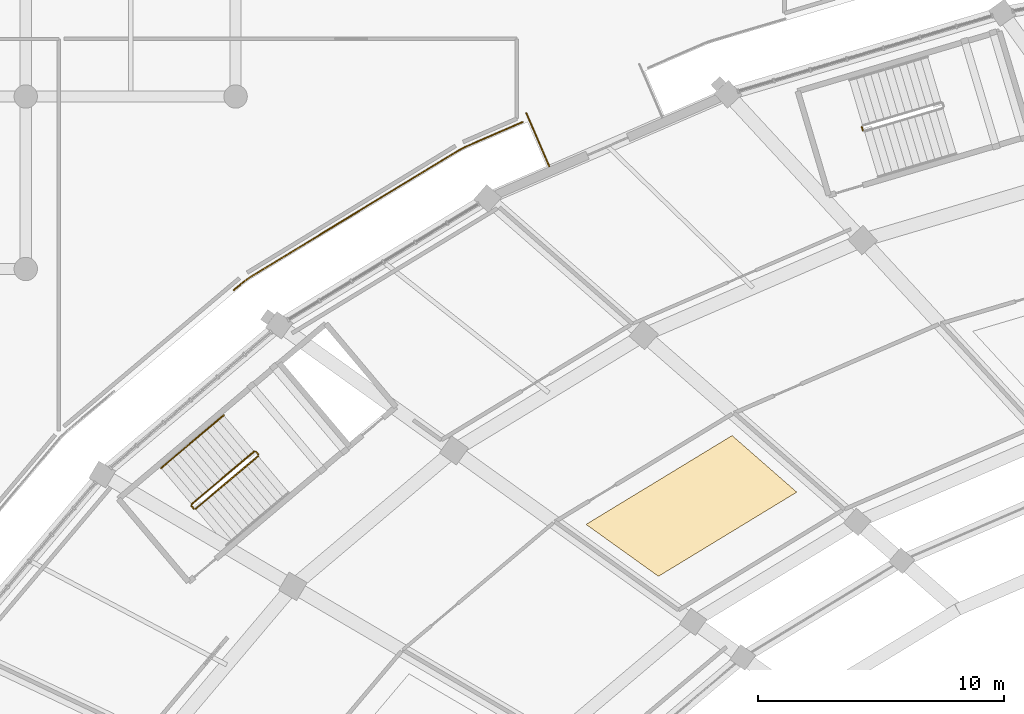
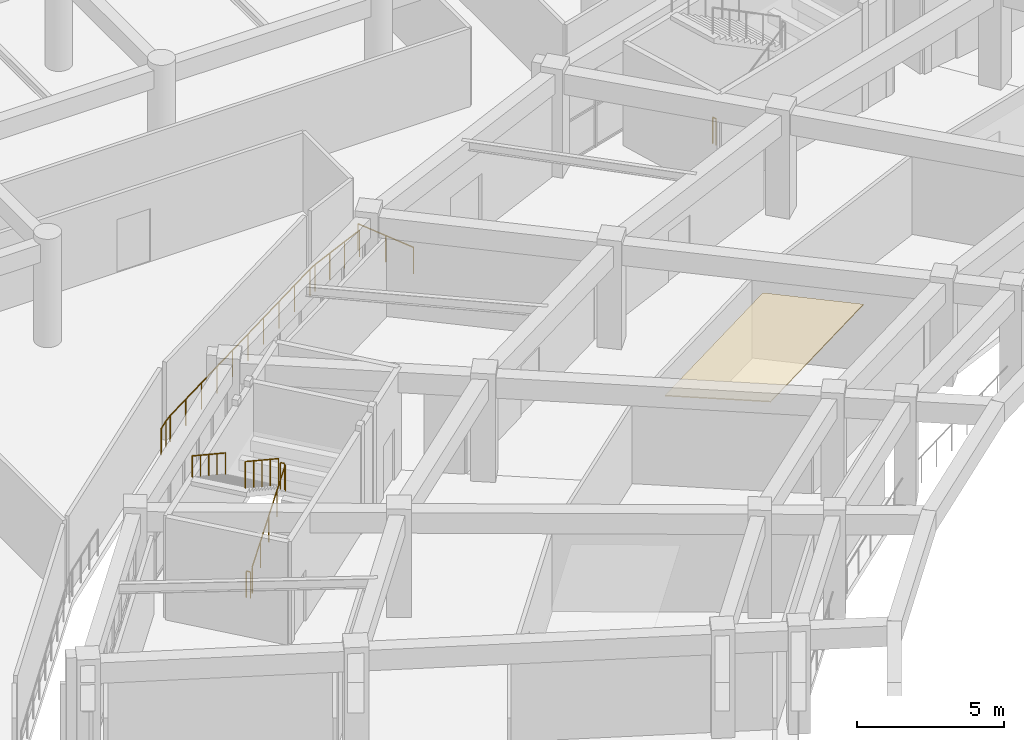
# One storey, part 137 of 145: 8 railings, 1 covering.
"""IFC4 building model written with IfcOpenShell, lengths in metres."""

import ifcopenshell
import ifcopenshell.guid

model = None  # the IFC model being written
_history = None  # IfcOwnerHistory: only IFC2X3 demands one
_inside = {}  # id of a spatial element -> (the spatial element, [elements in it])
_under = {}  # id of a project, library or spatial element -> (it, [spatial elements below it])
_declared = {}  # id of a project -> (the project, [libraries it declares])
_typed = {}  # id of a type object -> (the type object, [elements of that type])
_made_of = {}  # id of a material, layer set ... -> (it, [elements and type objects made of it])


def new_model(schema):
    """Start an empty IFC model of exactly this schema.

    Asked for "IFC4X3", IfcOpenShell would pick the latest addendum, in which some entities
    have other attributes; the version numbers below select the first issue.
    IFC2X3 requires an IfcOwnerHistory on every rooted entity: one is made here for all.
    """
    global model, _history
    if schema == "IFC4X3":
        model = ifcopenshell.file(schema_version=(4, 3, 0, 0))
    else:
        model = ifcopenshell.file(schema=schema)
    _inside.clear()
    _under.clear()
    _declared.clear()
    _typed.clear()
    _made_of.clear()
    _history = None
    if model.schema == "IFC2X3":
        org = make("IfcOrganization", Name="unknown")
        user = make(
            "IfcPersonAndOrganization",
            ThePerson=make("IfcPerson", FamilyName="unknown"),
            TheOrganization=org,
        )
        app = make(
            "IfcApplication",
            ApplicationDeveloper=org,
            Version="unknown",
            ApplicationFullName="unknown",
            ApplicationIdentifier="unknown",
        )
        _history = make(
            "IfcOwnerHistory",
            OwningUser=user,
            OwningApplication=app,
            ChangeAction="ADDED",
            CreationDate=0,
        )
    return model


def make(cls, **values):
    """One entity of the class cls with the attributes given. An attribute that is None is left unset."""
    return model.create_entity(
        cls, **{name: value for name, value in values.items() if value is not None}
    )


def rooted(cls, **values):
    """An entity with a GlobalId (a new one), such as an element, a storey or a relation."""
    return make(cls, GlobalId=ifcopenshell.guid.new(), OwnerHistory=_history, **values)


def si_unit(unit_type, name, prefix=None):
    """IfcSIUnit, for example si_unit("LENGTHUNIT", "METRE", prefix="MILLI")."""
    return make("IfcSIUnit", UnitType=unit_type, Prefix=prefix, Name=name)


def assignment(units):
    """IfcUnitAssignment: the units of a project."""
    return None if units is None else make("IfcUnitAssignment", Units=units)


def point(xyz):
    """IfcCartesianPoint."""
    return None if xyz is None else make("IfcCartesianPoint", Coordinates=xyz)


def direction(xyz):
    """IfcDirection."""
    return None if xyz is None else make("IfcDirection", DirectionRatios=xyz)


def frame(location, z_axis=None, x_axis=None):
    """IfcAxis2Placement3D, a coordinate frame: its origin and axes. An axis left out is left unset."""
    return make(
        "IfcAxis2Placement3D",
        Location=point(location),
        Axis=direction(z_axis),
        RefDirection=direction(x_axis),
    )


def frame_2d(location, x_axis=None):
    """IfcAxis2Placement2D, a coordinate frame in the plane: its origin and x axis."""
    return make(
        "IfcAxis2Placement2D", Location=point(location), RefDirection=direction(x_axis)
    )


def origin():
    """The frame at (0, 0, 0) with its axes left unset."""
    return frame((0.0, 0.0, 0.0))


def origin_2d():
    """The frame at (0, 0) in the plane with its x axis left unset."""
    return frame_2d((0.0, 0.0))


def place(relative_to, where):
    """IfcLocalPlacement: puts the frame where relative to a parent placement (None: the world)."""
    return make(
        "IfcLocalPlacement", PlacementRelTo=relative_to, RelativePlacement=where
    )


def context(
    kind, dimensions, precision=None, world=None, true_north=None, identifier=None
):
    """IfcGeometricRepresentationContext, for example the 3D "Model" context."""
    return make(
        "IfcGeometricRepresentationContext",
        ContextIdentifier=identifier,
        ContextType=kind,
        CoordinateSpaceDimension=dimensions,
        Precision=precision,
        WorldCoordinateSystem=world,
        TrueNorth=true_north,
    )


def subcontext(parent, identifier, kind, view, scale=None):
    """IfcGeometricRepresentationSubContext, for example "Body" below "Model"."""
    return make(
        "IfcGeometricRepresentationSubContext",
        ContextIdentifier=identifier,
        ContextType=kind,
        ParentContext=parent,
        TargetScale=scale,
        TargetView=view,
    )


def project(units=None, contexts=None):
    """IfcProject with its units and contexts."""
    return rooted(
        "IfcProject",
        Name="project",
        RepresentationContexts=contexts,
        UnitsInContext=assignment(units),
    )


def spatial(cls, under=None, at=None, **own):
    """A site, building, storey or space (cls), placed at a placement, below another one or the project."""
    s = rooted(cls, ObjectPlacement=at, **own)
    if under is not None:
        _under.setdefault(under.id(), (under, []))[1].append(s)
    return s


def polyline(points):
    """IfcPolyline through the points."""
    return make("IfcPolyline", Points=[point(p) for p in points])


def profile(cls, at=None, kind="AREA", **sizes):
    """A parametric profile (cls). Its sizes go by their IFC names, for example OverallWidth=200.0."""
    return make(cls, ProfileType=kind, Position=at, **sizes)


def circle(**sizes):
    """IfcCircleProfileDef."""
    return profile("IfcCircleProfileDef", **sizes)


def outline(outer, holes=None, kind="AREA"):
    """IfcArbitraryClosedProfileDef: a profile drawn as a closed curve; with holes, ...WithVoids."""
    if holes is None:
        return make("IfcArbitraryClosedProfileDef", ProfileType=kind, OuterCurve=outer)
    return make(
        "IfcArbitraryProfileDefWithVoids",
        ProfileType=kind,
        OuterCurve=outer,
        InnerCurves=holes,
    )


def extrude(swept, where, along, depth):
    """IfcExtrudedAreaSolid: the profile swept, set in the frame where, extruded along a direction by depth."""
    return make(
        "IfcExtrudedAreaSolid",
        SweptArea=swept,
        Position=where,
        ExtrudedDirection=direction(along),
        Depth=depth,
    )


def shape(context_of_items, identifier, shape_type, items):
    """IfcShapeRepresentation: the items that make up one representation, for example the "Body"."""
    return make(
        "IfcShapeRepresentation",
        ContextOfItems=context_of_items,
        RepresentationIdentifier=identifier,
        RepresentationType=shape_type,
        Items=items,
    )


def material(Name=None, Category=None):
    """IfcMaterial."""
    return make("IfcMaterial", Name=Name, Category=Category)


def layer(
    of_material, thickness, ventilated=None, Name=None, Category=None, Priority=None
):
    """IfcMaterialLayer: one layer of a wall or slab, of a material (None: an air gap)."""
    return make(
        "IfcMaterialLayer",
        Material=of_material,
        LayerThickness=thickness,
        IsVentilated=ventilated,
        Name=Name,
        Category=Category,
        Priority=Priority,
    )


def layer_set(layers, Name=None):
    """IfcMaterialLayerSet."""
    return make("IfcMaterialLayerSet", MaterialLayers=layers, LayerSetName=Name)


def made_of(thing, what):
    """Note that an element or type object is made of a material, layer set ...; save() writes the relation."""
    if what is not None:
        _made_of.setdefault(what.id(), (what, []))[1].append(thing)
    return thing


def type_object(cls, material=None, **own):
    """A type object (cls), such as IfcWallType, which elements share."""
    return made_of(rooted(cls, **own), material)


def element(
    cls,
    number,
    at=None,
    inside=None,
    cuts=None,
    type_object=None,
    material=None,
    context=None,
    identifier="Body",
    shape_type=None,
    held_by="IfcProductDefinitionShape",
    body=None,
    shapes=None,
    **own,
):
    """One element of the class cls, such as IfcWall. Its Tag is "e" and its number.

    at: its placement. inside: the storey or other place that contains it. cuts: it is an
    opening in that element (IfcRelVoidsElement). A single representation is given by context,
    identifier, shape_type and body (its items); several are given by shapes. held_by: the class
    of the entity that holds the representations. save() writes the other relations.
    """
    e = rooted(cls, Tag="e%d" % number, ObjectPlacement=at, **own)
    if body is not None:
        shapes = [shape(context, identifier, shape_type, body)]
    if shapes is not None:
        e.Representation = make(held_by, Representations=shapes)
    if inside is not None:
        _inside.setdefault(inside.id(), (inside, []))[1].append(e)
    if cuts is not None:
        rooted(
            "IfcRelVoidsElement", RelatingBuildingElement=cuts, RelatedOpeningElement=e
        )
    if type_object is not None:
        _typed.setdefault(type_object.id(), (type_object, []))[1].append(e)
    return made_of(e, material)


def aggregate(whole, parts):
    """IfcRelAggregates: a whole, such as a stair, and the parts it consists of."""
    return rooted("IfcRelAggregates", RelatingObject=whole, RelatedObjects=parts)


def save(model, path):
    """Write the relations noted so far, then the file.

    IfcRelAggregates (storeys below a building ...), IfcRelContainedInSpatialStructure (elements
    in a storey), IfcRelDefinesByType, IfcRelAssociatesMaterial and IfcRelDeclares: one each for
    every whole, place, type object, material and project.
    """
    for whole, parts in _under.values():
        aggregate(whole, parts)
    for where, things in _inside.values():
        rooted(
            "IfcRelContainedInSpatialStructure",
            RelatedElements=things,
            RelatingStructure=where,
        )
    for kind, things in _typed.values():
        rooted("IfcRelDefinesByType", RelatedObjects=things, RelatingType=kind)
    for what, things in _made_of.values():
        rooted("IfcRelAssociatesMaterial", RelatedObjects=things, RelatingMaterial=what)
    for by, libraries in _declared.values():
        rooted("IfcRelDeclares", RelatingContext=by, RelatedDefinitions=libraries)
    model.write(path)


model = new_model("IFC4")

# Units and contexts
model_context = context("Model", 3, precision=1e-05, world=origin(), true_north=direction((0.0, 1.0)))
body_context = subcontext(model_context, "Body", "Model", "MODEL_VIEW")
ifc_project = project(units=[si_unit("LENGTHUNIT", "METRE"), si_unit("AREAUNIT", "SQUARE_METRE"), si_unit("VOLUMEUNIT", "CUBIC_METRE"), si_unit("PLANEANGLEUNIT", "RADIAN"), si_unit("MASSUNIT", "GRAM", prefix="KILO")], contexts=[model_context])

# Site, building, storey
site_placement = place(None, origin())
site = spatial("IfcSite", under=ifc_project, at=site_placement, CompositionType="ELEMENT")
building_placement = place(site_placement, origin())
building = spatial("IfcBuilding", under=site, at=building_placement, Name="Mphavela Belvedere Stadium", CompositionType="ELEMENT")
storey_placement = place(building_placement, frame((0.0, 0.0, 10.199951171875)))
storey = spatial("IfcBuildingStorey", under=building, at=storey_placement, Name="L02", CompositionType="ELEMENT", Elevation=10.199951171875)

# Covering
ifc_material_1 = material(Name="Perforated acoustic mineral ceiling tile")
ifc_layer = layer(ifc_material_1, 0.0400390625)
ifc_layer_set = layer_set([ifc_layer], Name="Perforated acoustic mineral ceiling tile")
covering_type = type_object("IfcCoveringType", Name="COV-CEILING-ACOUSTIC", PredefinedType="CEILING", material=ifc_layer_set)
covering_placement = place(storey_placement, frame((0.0, 0.0, 3.199951171875)))
element("IfcCovering", 1, at=covering_placement, inside=storey, type_object=covering_type, Name="Concourse acoustic ceiling L02-18", PredefinedType="CEILING", context=body_context, shape_type="SweptSolid", body=[
    extrude(outline(polyline([(56.8544921875, 136.93896484375), (51.23974609375, 133.523193359375), (48.300537109375, 135.629150390625), (54.229248046875, 139.236083984375), (56.8544921875, 136.93896484375)])), origin(), (0.0, 0.0, 1.0), 0.0400390625),
])

# Railings
ifc_material_2 = material(Name="Bronze and laminated glass stadium balustrade", Category="glass")
railing_type_1 = type_object("IfcRailingType", Name="RAL-BALUSTRADE-1120", PredefinedType="BALUSTRADE", material=ifc_material_2)
railing_1_placement = place(storey_placement, frame((46.809814453125, 150.165283203125, 0.0)))
element("IfcRailing", 2, at=railing_1_placement, inside=storey, type_object=railing_type_1, Name="Colonnade link bridge balustrade L02-17B", PredefinedType="BALUSTRADE", context=body_context, shape_type="SweptSolid", body=[
    extrude(circle(Radius=0.02392578125, at=origin_2d()), frame((0.0, 0.0, 1.09619140625), z_axis=(-0.397802772945, 0.91747095531, 0.0), x_axis=(-0.91747095531, -0.397802772945, 0.0)), (0.0, 0.0, 1.0), 2.349853515625),
    extrude(circle(Radius=0.02099609375, at=origin_2d()), origin(), (0.0, 0.0, 1.0), 1.072021484375),
    extrude(circle(Radius=0.02099609375, at=origin_2d()), frame((-0.46728515625, 1.078125, 0.0)), (0.0, 0.0, 1.0), 1.072021484375),
    extrude(circle(Radius=0.02099609375, at=origin_2d()), frame((-0.934814453125, 2.156005859375, 0.0)), (0.0, 0.0, 1.0), 1.072021484375),
])
railing_2_placement = place(storey_placement, frame((45.7255859375, 151.96240234375, 0.0)))
element("IfcRailing", 3, at=railing_2_placement, inside=storey, type_object=railing_type_1, Name="Peristyle wing gallery edge balustrade L02-34", PredefinedType="BALUSTRADE", context=body_context, shape_type="SweptSolid", body=[
    extrude(circle(Radius=0.02392578125, at=origin_2d()), frame((0.0, 0.0, 1.09619140625), z_axis=(-0.917490104343, -0.397758605731, 0.0), x_axis=(0.397758605731, -0.917490104343, 0.0)), (0.0, 0.0, 1.0), 2.5380859375),
    extrude(circle(Radius=0.02392578125, at=origin_2d()), frame((-2.32861328125, -1.009521484375, 1.09619140625), z_axis=(-0.887624752967, -0.460567365236, 0.0), x_axis=(0.460567365236, -0.887624752967, 0.0)), (0.0, 0.0, 1.0), 0.313232421875),
    extrude(circle(Radius=0.02392578125, at=origin_2d()), frame((-2.606689453125, -1.15380859375, 1.09619140625), z_axis=(-0.854333268174, -0.519725568826, 0.0), x_axis=(0.519725568826, -0.854333268174, 0.0)), (0.0, 0.0, 1.0), 9.90185546875),
    extrude(circle(Radius=0.02392578125, at=origin_2d()), frame((-11.066162109375, -6.300048828125, 1.09619140625), z_axis=(-0.81202574752, -0.583621611462, 0.0), x_axis=(0.583621611462, -0.81202574752, 0.0)), (0.0, 0.0, 1.0), 0.348388671875),
    extrude(circle(Radius=0.02392578125, at=origin_2d()), frame((-11.34912109375, -6.50341796875, 1.09619140625), z_axis=(-0.764291483508, -0.64487093921, 0.0), x_axis=(0.64487093921, -0.764291483508, 0.0)), (0.0, 0.0, 1.0), 0.49072265625),
    extrude(circle(Radius=0.02099609375, at=origin_2d()), origin(), (0.0, 0.0, 1.0), 1.072021484375),
    extrude(circle(Radius=0.02099609375, at=origin_2d()), frame((-0.776123046875, -0.33642578125, 0.0)), (0.0, 0.0, 1.0), 1.072021484375),
    extrude(circle(Radius=0.02099609375, at=origin_2d()), frame((-1.552490234375, -0.673095703125, 0.0)), (0.0, 0.0, 1.0), 1.072021484375),
    extrude(circle(Radius=0.02099609375, at=origin_2d()), frame((-2.32861328125, -1.009521484375, 0.0)), (0.0, 0.0, 1.0), 1.072021484375),
    extrude(circle(Radius=0.02099609375, at=origin_2d()), frame((-2.606689453125, -1.15380859375, 0.0)), (0.0, 0.0, 1.0), 1.072021484375),
    extrude(circle(Radius=0.02099609375, at=origin_2d()), frame((-3.546630859375, -1.7255859375, 0.0)), (0.0, 0.0, 1.0), 1.072021484375),
    extrude(circle(Radius=0.02099609375, at=origin_2d()), frame((-4.486572265625, -2.29736328125, 0.0)), (0.0, 0.0, 1.0), 1.072021484375),
    extrude(circle(Radius=0.02099609375, at=origin_2d()), frame((-5.426513671875, -2.869140625, 0.0)), (0.0, 0.0, 1.0), 1.072021484375),
    extrude(circle(Radius=0.02099609375, at=origin_2d()), frame((-6.366455078125, -3.44091796875, 0.0)), (0.0, 0.0, 1.0), 1.072021484375),
    extrude(circle(Radius=0.02099609375, at=origin_2d()), frame((-7.306396484375, -4.012939453125, 0.0)), (0.0, 0.0, 1.0), 1.072021484375),
    extrude(circle(Radius=0.02099609375, at=origin_2d()), frame((-8.246337890625, -4.584716796875, 0.0)), (0.0, 0.0, 1.0), 1.072021484375),
    extrude(circle(Radius=0.02099609375, at=origin_2d()), frame((-9.186279296875, -5.156494140625, 0.0)), (0.0, 0.0, 1.0), 1.072021484375),
    extrude(circle(Radius=0.02099609375, at=origin_2d()), frame((-10.126220703125, -5.728271484375, 0.0)), (0.0, 0.0, 1.0), 1.072021484375),
    extrude(circle(Radius=0.02099609375, at=origin_2d()), frame((-11.066162109375, -6.300048828125, 0.0)), (0.0, 0.0, 1.0), 1.072021484375),
    extrude(circle(Radius=0.02099609375, at=origin_2d()), frame((-11.34912109375, -6.50341796875, 0.0)), (0.0, 0.0, 1.0), 1.072021484375),
    extrude(circle(Radius=0.02099609375, at=origin_2d()), frame((-11.72412109375, -6.81982421875, 0.0)), (0.0, 0.0, 1.0), 1.072021484375),
])
ifc_material_3 = material(Name="Painted galvanised steel stair guardrail", Category="steel")
railing_type_2 = type_object("IfcRailingType", Name="RAL-GUARD-1120", PredefinedType="GUARDRAIL", material=ifc_material_3)
railing_3_placement = place(storey_placement, frame((32.448974609375, 136.259033203125, 0.1875)))
element("IfcRailing", 4, at=railing_3_placement, inside=storey, type_object=railing_type_2, Name="L02 ST-C05 stair guard 1", PredefinedType="GUARDRAIL", context=body_context, shape_type="SweptSolid", body=[
    extrude(circle(Radius=0.02392578125, at=origin_2d()), frame((0.0, 0.0, 1.09619140625), z_axis=(0.649292927497, 0.547893589652, 0.527476358447), x_axis=(-0.644907161276, 0.76426091967, 0.0)), (0.0, 0.0, 1.0), 3.91015625),
    extrude(circle(Radius=0.02099609375, at=origin_2d()), origin(), (0.0, 0.0, 1.0), 1.072021484375),
    extrude(circle(Radius=0.02099609375, at=origin_2d()), frame((0.634765625, 0.53564453125, 0.515625)), (0.0, 0.0, 1.0), 1.072021484375),
    extrude(circle(Radius=0.02099609375, at=origin_2d()), frame((1.26953125, 1.0712890625, 1.03125)), (0.0, 0.0, 1.0), 1.072021484375),
    extrude(circle(Radius=0.02099609375, at=origin_2d()), frame((1.904052734375, 1.606689453125, 1.546875)), (0.0, 0.0, 1.0), 1.072021484375),
    extrude(circle(Radius=0.02099609375, at=origin_2d()), frame((2.538818359375, 2.142333984375, 2.0625)), (0.0, 0.0, 1.0), 1.072021484375),
])
railing_4_placement = place(storey_placement, frame((34.99365234375, 138.471923828125, 2.25)))
element("IfcRailing", 5, at=railing_4_placement, inside=storey, type_object=railing_type_2, Name="L02 ST-C05 stair guard 2", PredefinedType="GUARDRAIL", context=body_context, shape_type="SweptSolid", body=[
    extrude(circle(Radius=0.02392578125, at=origin_2d()), frame((0.0, 0.0, 1.09619140625), z_axis=(-0.645138550365, 0.764065606367, 0.0), x_axis=(-0.764065606367, -0.645138550365, 0.0)), (0.0, 0.0, 1.0), 0.14990234375),
    extrude(circle(Radius=0.02099609375, at=origin_2d()), origin(), (0.0, 0.0, 1.0), 1.072021484375),
    extrude(circle(Radius=0.02099609375, at=origin_2d()), frame((-0.0966796875, 0.114501953125, 0.0)), (0.0, 0.0, 1.0), 1.072021484375),
])
railing_5_placement = place(storey_placement, frame((34.82666015625, 138.592529296875, 2.4375)))
element("IfcRailing", 6, at=railing_5_placement, inside=storey, type_object=railing_type_2, Name="L02 ST-C05 stair guard 3", PredefinedType="GUARDRAIL", context=body_context, shape_type="SweptSolid", body=[
    extrude(circle(Radius=0.02392578125, at=origin_2d()), frame((0.0, 0.0, 1.09619140625), z_axis=(-0.649270715457, -0.547937282321, 0.527458313702), x_axis=(0.644950085505, -0.764224696805, 0.0)), (0.0, 0.0, 1.0), 3.91015625),
    extrude(circle(Radius=0.02099609375, at=origin_2d()), origin(), (0.0, 0.0, 1.0), 1.072021484375),
    extrude(circle(Radius=0.02099609375, at=origin_2d()), frame((-0.634765625, -0.53564453125, 0.515625)), (0.0, 0.0, 1.0), 1.072021484375),
    extrude(circle(Radius=0.02099609375, at=origin_2d()), frame((-1.26953125, -1.0712890625, 1.03125)), (0.0, 0.0, 1.0), 1.072021484375),
    extrude(circle(Radius=0.02099609375, at=origin_2d()), frame((-1.904052734375, -1.60693359375, 1.546875)), (0.0, 0.0, 1.0), 1.072021484375),
    extrude(circle(Radius=0.02099609375, at=origin_2d()), frame((-2.538818359375, -2.142578125, 2.0625)), (0.0, 0.0, 1.0), 1.072021484375),
])
railing_6_placement = place(storey_placement, frame((32.37841796875, 136.264892578125, 0.0)))
element("IfcRailing", 7, at=railing_6_placement, inside=storey, type_object=railing_type_2, Name="L02 ST-C05 stair guard 4", PredefinedType="GUARDRAIL", context=body_context, shape_type="SweptSolid", body=[
    extrude(circle(Radius=0.02392578125, at=origin_2d()), frame((0.0, 0.0, 1.09619140625), z_axis=(-0.645138550365, 0.764065606367, 0.0), x_axis=(-0.764065606367, -0.645138550365, 0.0)), (0.0, 0.0, 1.0), 0.14990234375),
    extrude(circle(Radius=0.02099609375, at=origin_2d()), origin(), (0.0, 0.0, 1.0), 1.072021484375),
    extrude(circle(Radius=0.02099609375, at=origin_2d()), frame((-0.0966796875, 0.114501953125, 0.0)), (0.0, 0.0, 1.0), 1.072021484375),
])
railing_7_placement = place(storey_placement, frame((59.537841796875, 151.6201171875, 0.0)))
element("IfcRailing", 8, at=railing_7_placement, inside=storey, type_object=railing_type_2, Name="L02 ST-P03 stair guard 4", PredefinedType="GUARDRAIL", context=body_context, shape_type="SweptSolid", body=[
    extrude(circle(Radius=0.02392578125, at=origin_2d()), frame((0.0, 0.0, 1.09619140625), z_axis=(-0.284808608521, 0.958584402394, 0.0), x_axis=(-0.958584402394, -0.284808608521, 0.0)), (0.0, 0.0, 1.0), 0.14990234375),
    extrude(circle(Radius=0.02099609375, at=origin_2d()), origin(), (0.0, 0.0, 1.0), 1.072021484375),
    extrude(circle(Radius=0.02099609375, at=origin_2d()), frame((-0.042724609375, 0.143798828125, 0.0)), (0.0, 0.0, 1.0), 1.072021484375),
])
ifc_material_4 = material(Name="Brushed stainless steel tubular handrail", Category="steel")
railing_type_3 = type_object("IfcRailingType", Name="RAL-HANDRAIL-900", PredefinedType="HANDRAIL", material=ifc_material_4)
railing_8_placement = place(storey_placement, frame((33.58837890625, 140.059814453125, 2.4375)))
element("IfcRailing", 9, at=railing_8_placement, inside=storey, type_object=railing_type_3, Name="L02 ST-C05 stair handrail 2", PredefinedType="HANDRAIL", context=body_context, shape_type="SweptSolid", body=[
    extrude(circle(Radius=0.02392578125, at=origin_2d()), frame((0.0, 0.0, 0.8759765625), z_axis=(-0.649270715457, -0.547937282321, 0.527458313702), x_axis=(0.644950085505, -0.764224696805, 0.0)), (0.0, 0.0, 1.0), 3.91015625),
    extrude(circle(Radius=0.02099609375, at=origin_2d()), origin(), (0.0, 0.0, 1.0), 0.851806640625),
    extrude(circle(Radius=0.02099609375, at=origin_2d()), frame((-0.634765625, -0.53564453125, 0.515625)), (0.0, 0.0, 1.0), 0.851806640625),
    extrude(circle(Radius=0.02099609375, at=origin_2d()), frame((-1.26953125, -1.0712890625, 1.03125)), (0.0, 0.0, 1.0), 0.851806640625),
    extrude(circle(Radius=0.02099609375, at=origin_2d()), frame((-1.904052734375, -1.60693359375, 1.546875)), (0.0, 0.0, 1.0), 0.851806640625),
    extrude(circle(Radius=0.02099609375, at=origin_2d()), frame((-2.538818359375, -2.142578125, 2.0625)), (0.0, 0.0, 1.0), 0.851806640625),
])

save(model, "model.ifc")
